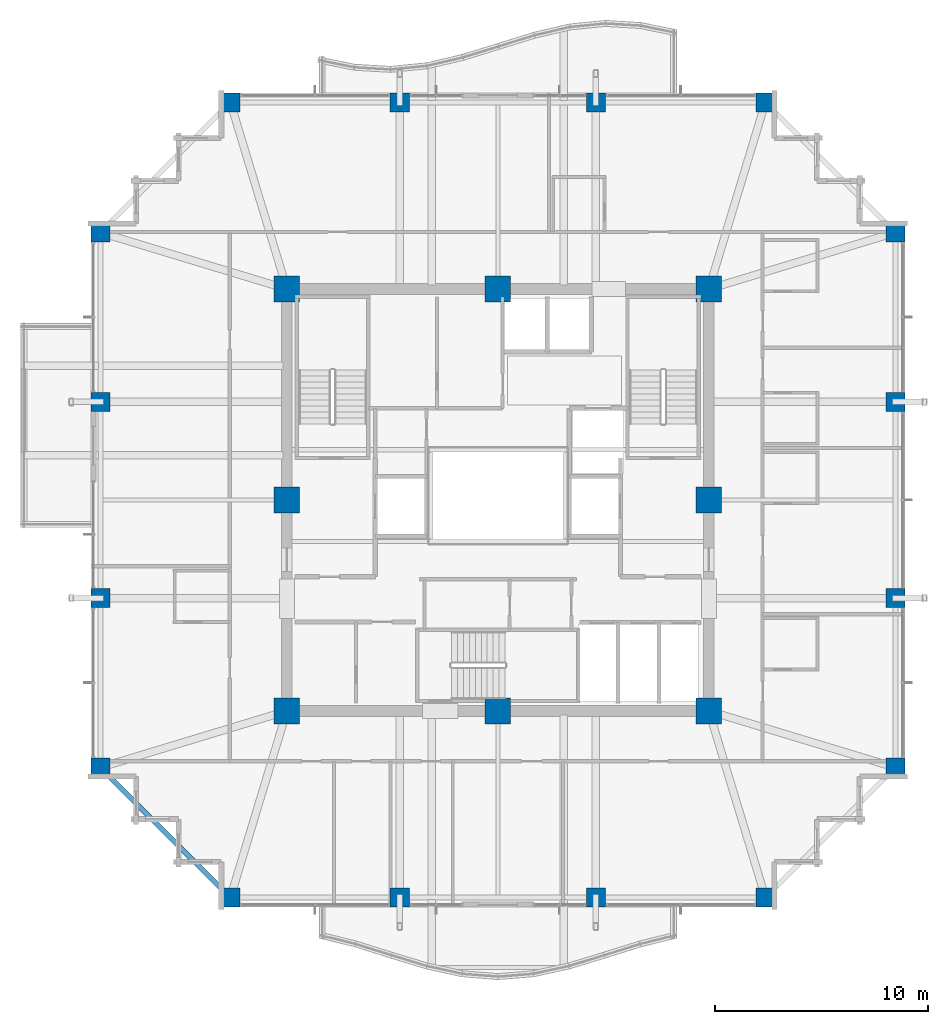
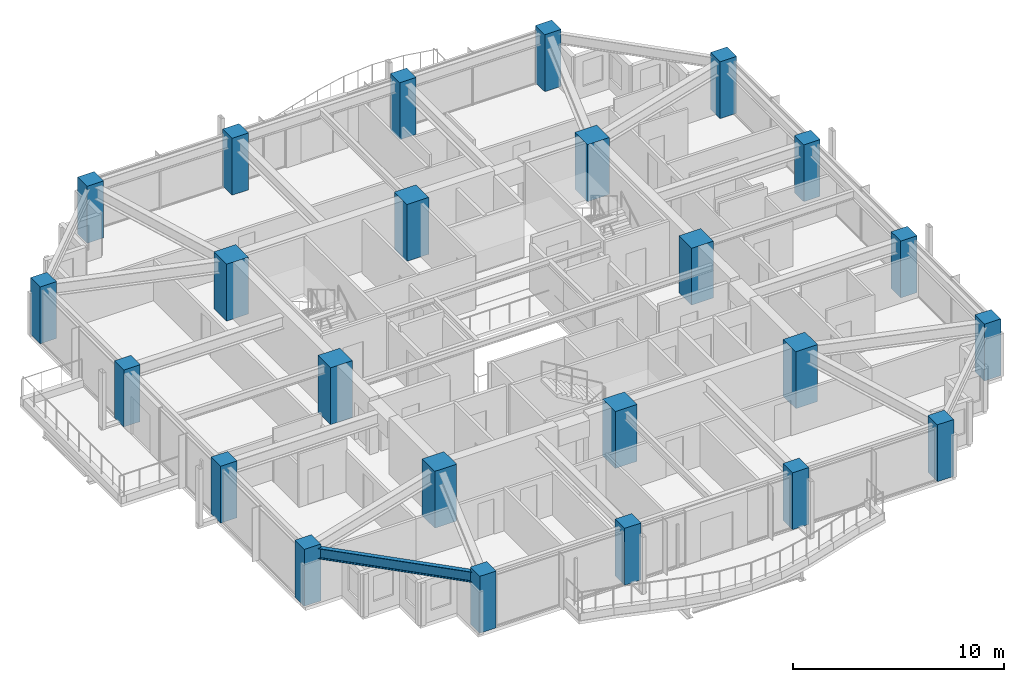
# One storey, part 1 of 34: 24 columns, 1 beam.
"""IFC4 building model written with IfcOpenShell, lengths in metres."""

from ifc_helpers import new_model, si_unit, direction, frame, origin, origin_2d, place, context, subcontext, project, spatial, rectangle, i_section, extrude, material, material_profile, profile_set, type_object, element, save


model = new_model("IFC4")

# Units and contexts
model_context = context("Model", 3, precision=1e-05, world=origin(), true_north=direction((0.0, 1.0)))
body_context = subcontext(model_context, "Body", "Model", "MODEL_VIEW")
ifc_project = project(units=[si_unit("LENGTHUNIT", "METRE"), si_unit("AREAUNIT", "SQUARE_METRE"), si_unit("VOLUMEUNIT", "CUBIC_METRE"), si_unit("PLANEANGLEUNIT", "RADIAN"), si_unit("MASSUNIT", "GRAM", prefix="KILO")], contexts=[model_context])

# Site, building, storey
site_placement = place(None, origin())
site = spatial("IfcSite", under=ifc_project, at=site_placement, CompositionType="ELEMENT")
building_placement = place(site_placement, origin())
building = spatial("IfcBuilding", under=site, at=building_placement, Name="Kolvaren Belvedere", CompositionType="ELEMENT")
storey_placement = place(building_placement, frame((0.0, 0.0, 166.800048828125)))
storey = spatial("IfcBuildingStorey", under=building, at=storey_placement, Name="L48", CompositionType="ELEMENT", Elevation=166.800048828125)

# Columns
ifc_material_1 = material(Name="Concrete C60/75", Category="concrete")
ifc_material_profile_1 = material_profile(ifc_material_1, rectangle(XDim=1.199951171875, YDim=1.199951171875, at=origin_2d()), Name="RC 1200X1200")
ifc_profile_set_1 = profile_set([ifc_material_profile_1], Name="Concrete C60/75")
column_type_1 = type_object("IfcColumnType", Name="COL-RC-1200", PredefinedType="COLUMN", material=ifc_profile_set_1)
for number, where, z_axis, x_axis, name in (
    (1, (-9.89990234375, -9.89990234375, 0.0), (0.0, 0.0, 1.0), (1.0, 0.0, 0.0), "L48 Core Column CC1"),
    (2, (9.89990234375, -9.89990234375, 0.0), (0.0, 0.0, 1.0), (1.0, 0.0, 0.0), "L48 Core Column CC2"),
    (3, (9.89990234375, 9.89990234375, 0.0), (0.0, 0.0, 1.0), (1.0, 0.0, 0.0), "L48 Core Column CC3"),
    (4, (-9.89990234375, 9.89990234375, 0.0), (0.0, 0.0, 1.0), (1.0, 0.0, 0.0), "L48 Core Column CC4"),
    (5, (0.0, -9.89990234375, 0.0), (0.0, 0.0, 1.0), (1.0, 0.0, 0.0), "L48 Core Column CM1"),
    (6, (9.89990234375, 0.0, 0.0), (0.0, 0.0, 1.0), (1.0, 0.0, 0.0), "L48 Core Column CM2"),
    (7, (0.0, 9.89990234375, 0.0), (0.0, 0.0, 1.0), (1.0, 0.0, 0.0), "L48 Core Column CM3"),
    (8, (-9.89990234375, 0.0, 0.0), (0.0, 0.0, 1.0), (1.0, 0.0, 0.0), "L48 Core Column CM4"),
):
    element("IfcColumn", number, at=place(storey_placement, frame(where, z_axis=z_axis, x_axis=x_axis)), inside=storey, type_object=column_type_1, Name=name, PredefinedType="COLUMN", context=body_context, shape_type="SweptSolid", body=[
        extrude(rectangle(XDim=1.199951171875, YDim=1.199951171875, at=origin_2d()), origin(), (0.0, 0.0, 1.0), 3.300048828125),
    ])
ifc_material_2 = material(Name="Concrete C50/60", Category="concrete")
ifc_material_profile_2 = material_profile(ifc_material_2, rectangle(XDim=0.89990234375, YDim=0.89990234375, at=origin_2d()), Name="RC 900X900")
ifc_profile_set_2 = profile_set([ifc_material_profile_2], Name="Concrete C50/60")
column_type_2 = type_object("IfcColumnType", Name="COL-RC-900", PredefinedType="COLUMN", material=ifc_profile_set_2)
for number, where, z_axis, x_axis, name in (
    (9, (-12.550048828125, -18.64990234375, 0.0), (0.0, 0.0, 1.0), (1.0, 0.0, 0.0), "L48 Perimeter Column S1"),
    (10, (-4.60009765625, -18.64990234375, 0.0), (0.0, 0.0, 1.0), (1.0, 0.0, 0.0), "L48 Perimeter Column S2"),
    (11, (4.60009765625, -18.64990234375, 0.0), (0.0, 0.0, 1.0), (1.0, 0.0, 0.0), "L48 Perimeter Column S3"),
    (12, (12.550048828125, -18.64990234375, 0.0), (0.0, 0.0, 1.0), (1.0, 0.0, 0.0), "L48 Perimeter Column S4"),
    (13, (-12.550048828125, 18.64990234375, 0.0), (0.0, 0.0, 1.0), (1.0, 0.0, 0.0), "L48 Perimeter Column N1"),
    (14, (-4.60009765625, 18.64990234375, 0.0), (0.0, 0.0, 1.0), (1.0, 0.0, 0.0), "L48 Perimeter Column N2"),
    (15, (4.60009765625, 18.64990234375, 0.0), (0.0, 0.0, 1.0), (1.0, 0.0, 0.0), "L48 Perimeter Column N3"),
    (16, (12.550048828125, 18.64990234375, 0.0), (0.0, 0.0, 1.0), (1.0, 0.0, 0.0), "L48 Perimeter Column N4"),
    (17, (-18.64990234375, -12.550048828125, 0.0), (0.0, 0.0, 1.0), (1.0, 0.0, 0.0), "L48 Perimeter Column W1"),
    (18, (-18.64990234375, -4.60009765625, 0.0), (0.0, 0.0, 1.0), (1.0, 0.0, 0.0), "L48 Perimeter Column W2"),
    (19, (-18.64990234375, 4.60009765625, 0.0), (0.0, 0.0, 1.0), (1.0, 0.0, 0.0), "L48 Perimeter Column W3"),
    (20, (-18.64990234375, 12.550048828125, 0.0), (0.0, 0.0, 1.0), (1.0, 0.0, 0.0), "L48 Perimeter Column W4"),
    (21, (18.64990234375, -12.550048828125, 0.0), (0.0, 0.0, 1.0), (1.0, 0.0, 0.0), "L48 Perimeter Column E1"),
    (22, (18.64990234375, -4.60009765625, 0.0), (0.0, 0.0, 1.0), (1.0, 0.0, 0.0), "L48 Perimeter Column E2"),
    (23, (18.64990234375, 4.60009765625, 0.0), (0.0, 0.0, 1.0), (1.0, 0.0, 0.0), "L48 Perimeter Column E3"),
    (24, (18.64990234375, 12.550048828125, 0.0), (0.0, 0.0, 1.0), (1.0, 0.0, 0.0), "L48 Perimeter Column E4"),
):
    element("IfcColumn", number, at=place(storey_placement, frame(where, z_axis=z_axis, x_axis=x_axis)), inside=storey, type_object=column_type_2, Name=name, PredefinedType="COLUMN", context=body_context, shape_type="SweptSolid", body=[
        extrude(rectangle(XDim=0.89990234375, YDim=0.89990234375, at=origin_2d()), origin(), (0.0, 0.0, 1.0), 3.300048828125),
    ])

# Beam
ifc_material_3 = material(Name="Structural steel ASTM A992 Grade 50", Category="steel")
ifc_material_profile_3 = material_profile(ifc_material_3, i_section(OverallWidth=0.22900390625, OverallDepth=0.612060546875, WebThickness=0.011962890625, FlangeThickness=0.01953125, FilletRadius=0.01806640625, at=origin_2d()), Name="W24X84")
ifc_profile_set_3 = profile_set([ifc_material_profile_3], Name="Structural steel ASTM A992 Grade 50")
beam_type = type_object("IfcBeamType", Name="BM-SPAN-W24X84", PredefinedType="SPANDREL", material=ifc_profile_set_3)
beam_placement = place(storey_placement, frame((-18.5068359375, -12.693115234375, 2.7939453125), z_axis=(0.707106781187, -0.707106781187, 0.0), x_axis=(0.707106781187, 0.707106781187, 0.0)))
element("IfcBeam", 25, at=beam_placement, inside=storey, type_object=beam_type, Name="L48 Perimeter Spandrel W1-S1", PredefinedType="SPANDREL", context=body_context, shape_type="SweptSolid", body=[
    extrude(i_section(OverallWidth=0.22900390625, OverallDepth=0.612060546875, WebThickness=0.011962890625, FlangeThickness=0.01953125, FilletRadius=0.01806640625, at=origin_2d()), origin(), (0.0, 0.0, 1.0), 8.221923828125),
])

save(model, "model.ifc")
